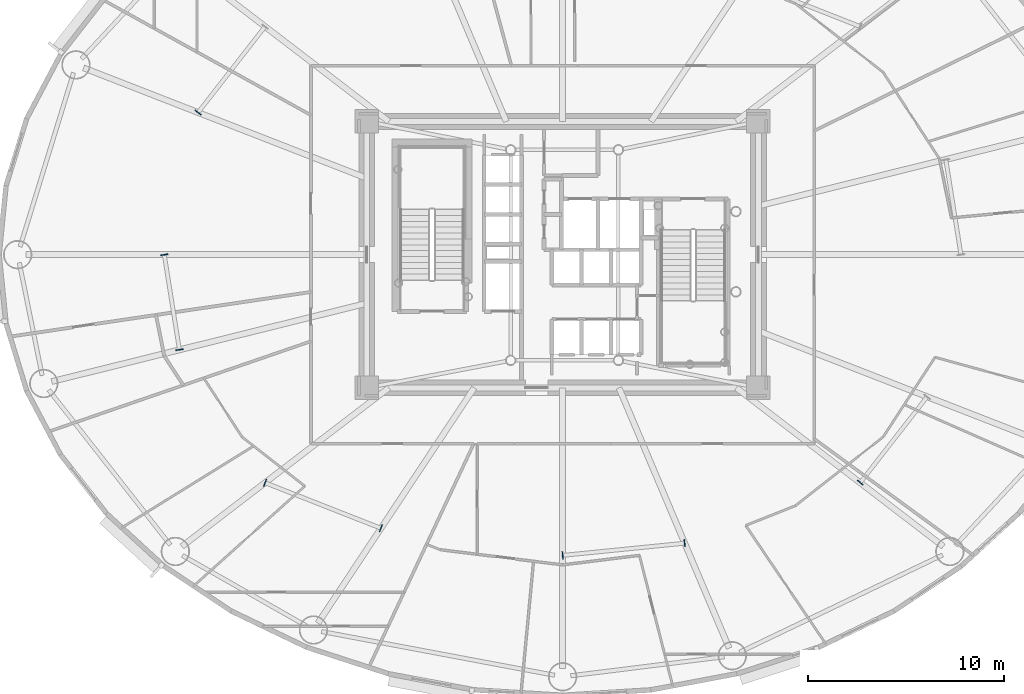
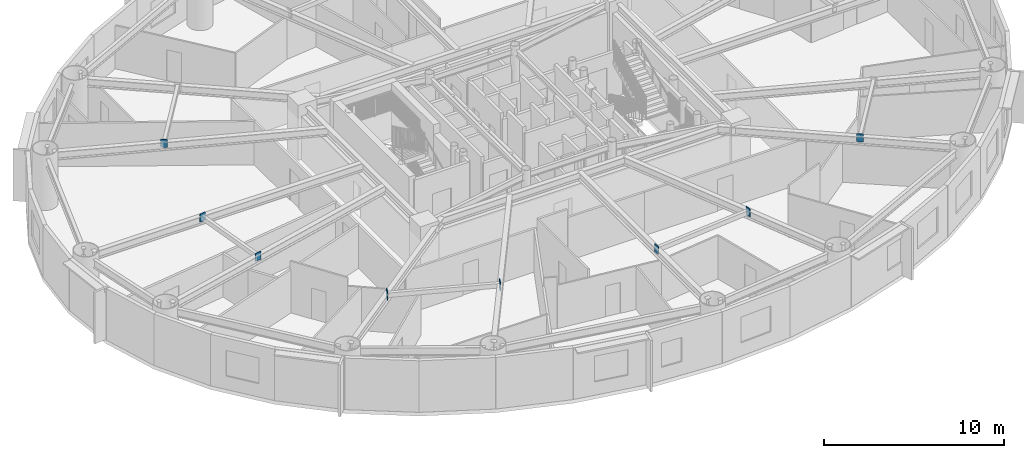
# One storey, part 9 of 21: 8 plates.
"""IFC4 building model written with IfcOpenShell, lengths in metres."""

from ifc_helpers import new_model, si_unit, direction, frame, origin, origin_2d, place, context, subcontext, project, spatial, rectangle, extrude, source, transform, mapped, material, layer, layer_set, type_object, element, save


model = new_model("IFC4")

# Units and contexts
model_context = context("Model", 3, precision=1e-05, world=origin(), true_north=direction((0.0, 1.0)))
body_context = subcontext(model_context, "Body", "Model", "MODEL_VIEW")
ifc_project = project(units=[si_unit("LENGTHUNIT", "METRE"), si_unit("AREAUNIT", "SQUARE_METRE"), si_unit("VOLUMEUNIT", "CUBIC_METRE"), si_unit("PLANEANGLEUNIT", "RADIAN"), si_unit("MASSUNIT", "GRAM", prefix="KILO")], contexts=[model_context])

# Site, building, storey
site_placement = place(None, origin())
site = spatial("IfcSite", under=ifc_project, at=site_placement, CompositionType="ELEMENT")
building_placement = place(site_placement, origin())
building = spatial("IfcBuilding", under=site, at=building_placement, Name="Linh Dai School and Residence Tower", CompositionType="ELEMENT")
storey_placement = place(building_placement, frame((0.0, 0.0, 134.699951171875)))
storey = spatial("IfcBuildingStorey", under=building, at=storey_placement, Name="L32", CompositionType="ELEMENT", Elevation=134.699951171875)

# Plates
ifc_material = material(Name="Structural Steel S355JR", Category="steel")
ifc_layer = layer(ifc_material, 0.0400390625)
ifc_layer_set = layer_set([ifc_layer], Name="Structural Steel S355JR")
plate_type = type_object("IfcPlateType", Name="PLT-GP1", PredefinedType="USERDEFINED", material=ifc_layer_set)
shared_shape = source(origin(), body_context, "Body", "SweptSolid", [
    extrude(rectangle(XDim=0.0400390625, YDim=0.3798828125, at=origin_2d()), origin(), (0.0, 0.0, 1.0), 0.5400390625),
])
for number, where, z_axis, x_axis, name in (
    (1, (17.390625, 34.260009765625, 3.080078125), (0.0, 0.0, 1.0), (-0.614362913717, -0.789023580287, 0.0), "L32 Secondary Beam End Plate 04B"),
    (2, (15.662353515625, 26.9951171875, 3.080078125), (0.0, 0.0, 1.0), (0.157025103807, -0.987594611556, 0.0), "L32 Secondary Beam End Plate 05A"),
    (3, (16.43359375, 22.14453125, 3.080078125), (0.0, 0.0, 1.0), (0.157025103807, -0.987594611556, 0.0), "L32 Secondary Beam End Plate 05B"),
    (4, (20.810546875, 15.35205078125, 3.080078125), (0.0, 0.0, 1.0), (0.930752465806, -0.3656498973, 0.0), "L32 Secondary Beam End Plate 06A"),
    (5, (26.720703125, 13.030029296875, 3.080078125), (0.0, 0.0, 1.0), (0.930752465806, -0.3656498973, 0.0), "L32 Secondary Beam End Plate 06B"),
    (6, (36.0048828125, 11.642578125, 3.080078125), (0.0, 0.0, 1.0), (0.995041739642, 0.09945821419, 0.0), "L32 Secondary Beam End Plate 07A"),
    (7, (42.2294921875, 12.2646484375, 3.080078125), (0.0, 0.0, 1.0), (0.995041739642, 0.09945821419, 0.0), "L32 Secondary Beam End Plate 07B"),
    (8, (51.197265625, 15.35791015625, 3.080078125), (0.0, 0.0, 1.0), (0.614362913717, 0.789023580287, 0.0), "L32 Secondary Beam End Plate 08A"),
):
    element("IfcPlate", number, at=place(storey_placement, frame(where, z_axis=z_axis, x_axis=x_axis)), inside=storey, type_object=plate_type, Name=name, ObjectType="GUSSET PLATE", PredefinedType="USERDEFINED", context=body_context, shape_type="MappedRepresentation", body=[
        mapped(shared_shape, transform((0.0, 0.0, 0.0), x_axis=(1.0, 0.0, 0.0), y_axis=(0.0, 1.0, 0.0), z_axis=(0.0, 0.0, 1.0), scale=1.0)),
    ])

save(model, "model.ifc")
